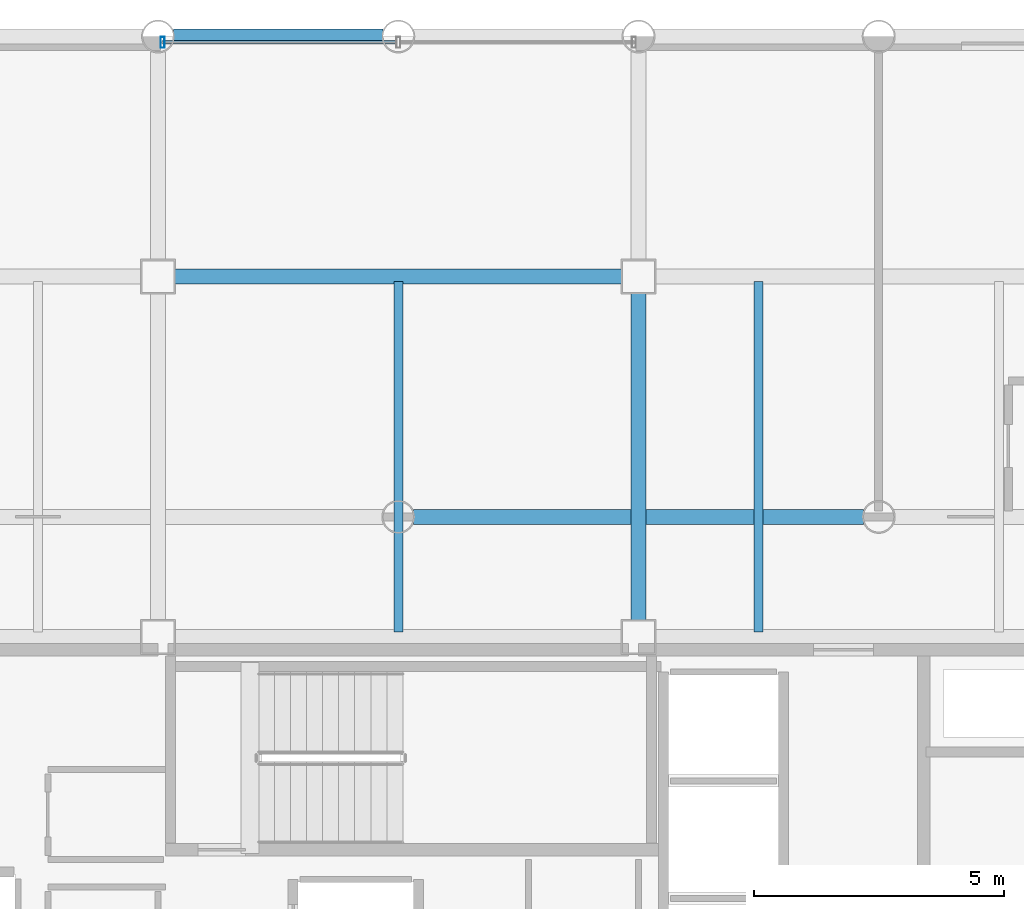
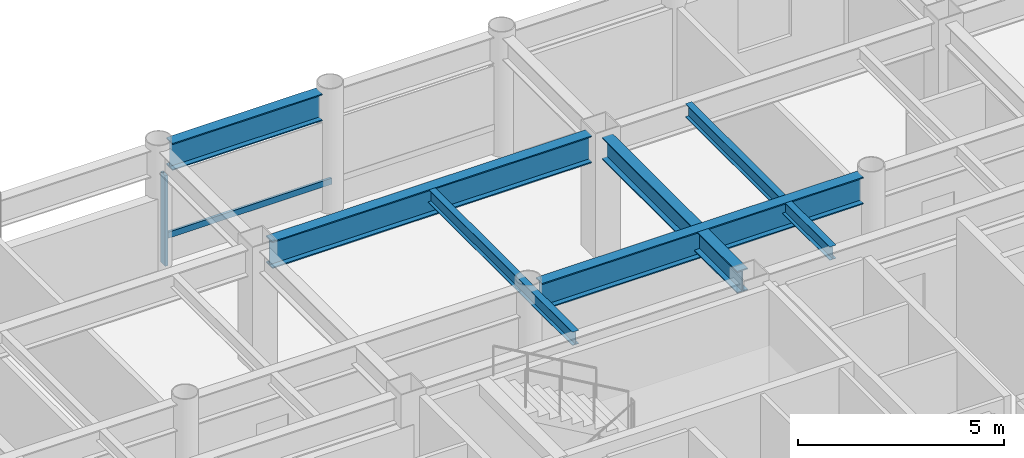
# One storey, part 11 of 19: 6 beams, 2 members, 1 element without a shape of its own.
"""IFC4 building model written with IfcOpenShell, lengths in metres."""

from ifc_helpers import new_model, si_unit, direction, frame, origin, origin_2d, place, context, subcontext, project, spatial, hollow_rectangle, i_section, extrude, material, layer, layer_set, material_profile, profile_set, type_object, element, aggregate, save


model = new_model("IFC4")

# Units and contexts
model_context = context("Model", 3, precision=1e-05, world=origin(), true_north=direction((0.0, 1.0)))
body_context = subcontext(model_context, "Body", "Model", "MODEL_VIEW")
ifc_project = project(units=[si_unit("LENGTHUNIT", "METRE"), si_unit("AREAUNIT", "SQUARE_METRE"), si_unit("VOLUMEUNIT", "CUBIC_METRE"), si_unit("PLANEANGLEUNIT", "RADIAN"), si_unit("MASSUNIT", "GRAM", prefix="KILO")], contexts=[model_context])

# Site, building, storey
site_placement = place(None, origin())
site = spatial("IfcSite", under=ifc_project, at=site_placement, CompositionType="ELEMENT")
building_placement = place(site_placement, origin())
building = spatial("IfcBuilding", under=site, at=building_placement, Name="Kallvorn Hotel Tower", CompositionType="ELEMENT")
storey_placement = place(building_placement, frame((0.0, 0.0, 165.5)))
storey = spatial("IfcBuildingStorey", under=building, at=storey_placement, Name="L41", CompositionType="ELEMENT", Elevation=165.5)

# Beams
ifc_material_1 = material(Name="Structural steel S355JR", Category="steel")
ifc_material_profile_1 = material_profile(ifc_material_1, i_section(OverallWidth=0.300048828125, OverallDepth=0.64990234375, WebThickness=0.01611328125, FlangeThickness=0.031005859375, at=origin_2d()), Name="HE 650 B")
ifc_profile_set_1 = profile_set([ifc_material_profile_1], Name="Structural steel S355JR")
beam_type_1 = type_object("IfcBeamType", Name="BM_HE650B", PredefinedType="BEAM", material=ifc_profile_set_1)
beam_1_placement = place(storey_placement, frame((4.800048828125, 7.52490234375, 3.195068359375), z_axis=(0.0, 1.0, 0.0), x_axis=(-1.0, 0.0, 0.0)))
element("IfcBeam", 1, at=beam_1_placement, inside=storey, type_object=beam_type_1, Name="L42 Primary Y-Girder 117", PredefinedType="BEAM", context=body_context, shape_type="SweptSolid", body=[
    extrude(i_section(OverallWidth=0.300048828125, OverallDepth=0.64990234375, WebThickness=0.01611328125, FlangeThickness=0.031005859375, at=origin_2d()), origin(), (0.0, 0.0, 1.0), 6.550048828125),
])
ifc_material_2 = material(Name="Structural steel S355JR", Category="steel")
ifc_material_profile_2 = material_profile(ifc_material_2, i_section(OverallWidth=0.300048828125, OverallDepth=0.800048828125, WebThickness=0.017578125, FlangeThickness=0.032958984375, at=origin_2d()), Name="HE 800 B")
ifc_profile_set_2 = profile_set([ifc_material_profile_2], Name="Structural steel S355JR")
beam_type_2 = type_object("IfcBeamType", Name="BM_HE800B", PredefinedType="BEAM", material=ifc_profile_set_2)
beam_2_placement = place(storey_placement, frame((0.304931640625, 9.60009765625, 3.1201171875), z_axis=(1.0, 0.0, 0.0), x_axis=(0.0, 1.0, 0.0)))
element("IfcBeam", 2, at=beam_2_placement, inside=storey, type_object=beam_type_2, Name="L42 Primary X-Girder 47", PredefinedType="BEAM", context=body_context, shape_type="SweptSolid", body=[
    extrude(i_section(OverallWidth=0.300048828125, OverallDepth=0.800048828125, WebThickness=0.017578125, FlangeThickness=0.032958984375, at=origin_2d()), origin(), (0.0, 0.0, 1.0), 8.989990234375),
])
beam_3_placement = place(storey_placement, frame((-4.47509765625, 14.39990234375, 3.1201171875), z_axis=(1.0, 0.0, 0.0), x_axis=(0.0, 1.0, 0.0)))
element("IfcBeam", 3, at=beam_3_placement, inside=storey, type_object=beam_type_2, Name="L42 Primary X-Girder 56", PredefinedType="BEAM", context=body_context, shape_type="SweptSolid", body=[
    extrude(i_section(OverallWidth=0.300048828125, OverallDepth=0.800048828125, WebThickness=0.017578125, FlangeThickness=0.032958984375, at=origin_2d()), origin(), (0.0, 0.0, 1.0), 8.9501953125),
])
beam_4_placement = place(storey_placement, frame((-4.4951171875, 19.199951171875, 3.1201171875), z_axis=(1.0, 0.0, 0.0), x_axis=(0.0, 1.0, 0.0)))
element("IfcBeam", 4, at=beam_4_placement, inside=storey, type_object=beam_type_2, Name="L42 Primary X-Girder 66", PredefinedType="BEAM", context=body_context, shape_type="SweptSolid", body=[
    extrude(i_section(OverallWidth=0.300048828125, OverallDepth=0.800048828125, WebThickness=0.017578125, FlangeThickness=0.032958984375, at=origin_2d()), origin(), (0.0, 0.0, 1.0), 4.190185546875),
])
ifc_material_3 = material(Name="Structural steel S355JR", Category="steel")
ifc_material_profile_3 = material_profile(ifc_material_3, i_section(OverallWidth=0.179931640625, OverallDepth=0.39990234375, WebThickness=0.008544921875, FlangeThickness=0.013427734375, at=origin_2d()), Name="IPE 400")
ifc_profile_set_3 = profile_set([ifc_material_profile_3], Name="Structural steel S355JR")
beam_type_3 = type_object("IfcBeamType", Name="BM_IPE400", PredefinedType="JOIST", material=ifc_profile_set_3)
for number, where, z_axis, x_axis, name in (
    (5, (0.0, 7.300048828125, 3.320068359375), (0.0, 1.0, 0.0), (-1.0, 0.0, 0.0), "L42 Secondary Composite Joist 201"),
    (6, (7.199951171875, 7.300048828125, 3.320068359375), (0.0, 1.0, 0.0), (-1.0, 0.0, 0.0), "L42 Secondary Composite Joist 203"),
):
    element("IfcBeam", number, at=place(storey_placement, frame(where, z_axis=z_axis, x_axis=x_axis)), inside=storey, type_object=beam_type_3, Name=name, PredefinedType="JOIST", context=body_context, shape_type="SweptSolid", body=[
        extrude(i_section(OverallWidth=0.179931640625, OverallDepth=0.39990234375, WebThickness=0.008544921875, FlangeThickness=0.013427734375, at=origin_2d()), origin(), (0.0, 0.0, 1.0), 7.0),
    ])

# Curtain wall, members
ifc_material_4 = material(Name="Thermally broken black-anodised aluminium AA 6063-T6", Category="aluminium")
ifc_layer = layer(ifc_material_4, 0.2099609375)
ifc_layer_set = layer_set([ifc_layer], Name="CW_SYS_4_HOTEL_MID")
curtain_wall_type = type_object("IfcCurtainWallType", Name="CW_SYS_4_HOTEL_MID", PredefinedType="USERDEFINED", material=ifc_layer_set)
curtain_wall_placement = place(storey_placement, origin())
curtain_wall = element("IfcCurtainWall", 7, at=curtain_wall_placement, inside=storey, type_object=curtain_wall_type, Name="L41 Dark-Glass Curtain Wall CW-L41-NC", ObjectType="UNITISED CURTAIN WALL", PredefinedType="USERDEFINED")
ifc_material_5 = material(Name="Thermally broken black-anodised aluminium AA 6063-T6", Category="aluminium")
ifc_material_profile_4 = material_profile(ifc_material_5, hollow_rectangle(XDim=0.080078125, YDim=0.219970703125, WallThickness=0.0048828125, at=origin_2d()), Name="MUL 220x80")
ifc_profile_set_4 = profile_set([ifc_material_profile_4], Name="Thermally broken black-anodised aluminium AA 6063-T6")
member_type_1 = type_object("IfcMemberType", Name="CW_MULLION_220x80", PredefinedType="MULLION", material=ifc_profile_set_4)
member_1_placement = place(storey_placement, frame((-4.7099609375, 19.080078125, 0.02001953125), z_axis=(0.0, 0.0, 1.0), x_axis=(1.0, 0.0, 0.0)))
member_1 = element("IfcMember", 8, at=member_1_placement, type_object=member_type_1, Name="CW-L41-NC Mullion 00", PredefinedType="MULLION", context=body_context, shape_type="SweptSolid", body=[
    extrude(hollow_rectangle(XDim=0.080078125, YDim=0.219970703125, WallThickness=0.0048828125, at=origin_2d()), origin(), (0.0, 0.0, 1.0), 2.679931640625),
])
ifc_material_6 = material(Name="Thermally broken black-anodised aluminium AA 6063-T6", Category="aluminium")
ifc_material_profile_5 = material_profile(ifc_material_6, hollow_rectangle(XDim=0.070068359375, YDim=0.179931640625, WallThickness=0.00390625, at=origin_2d()), Name="TRN 180x70")
ifc_profile_set_5 = profile_set([ifc_material_profile_5], Name="Thermally broken black-anodised aluminium AA 6063-T6")
member_type_2 = type_object("IfcMemberType", Name="CW_TRANSOM_180x70", PredefinedType="USERDEFINED", material=ifc_profile_set_5)
member_2_placement = place(storey_placement, frame((-4.7099609375, 19.080078125, 0.85009765625), z_axis=(1.0, 0.0, 0.0), x_axis=(0.0, 1.0, 0.0)))
member_2 = element("IfcMember", 9, at=member_2_placement, type_object=member_type_2, Name="CW-L41-NC Transom 00M", ObjectType="TRANSOM", PredefinedType="USERDEFINED", context=body_context, shape_type="SweptSolid", body=[
    extrude(hollow_rectangle(XDim=0.070068359375, YDim=0.179931640625, WallThickness=0.00390625, at=origin_2d()), origin(), (0.0, 0.0, 1.0), 4.669921875),
])
aggregate(curtain_wall, [member_1, member_2])

save(model, "model.ifc")
